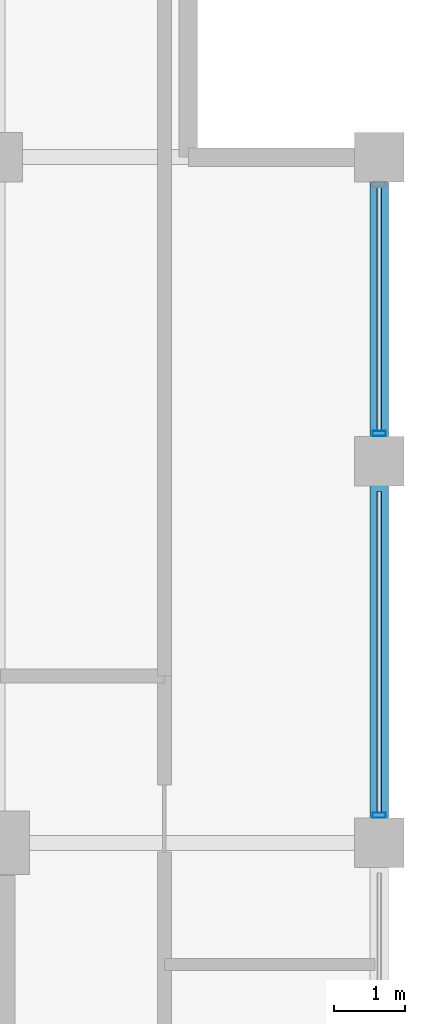
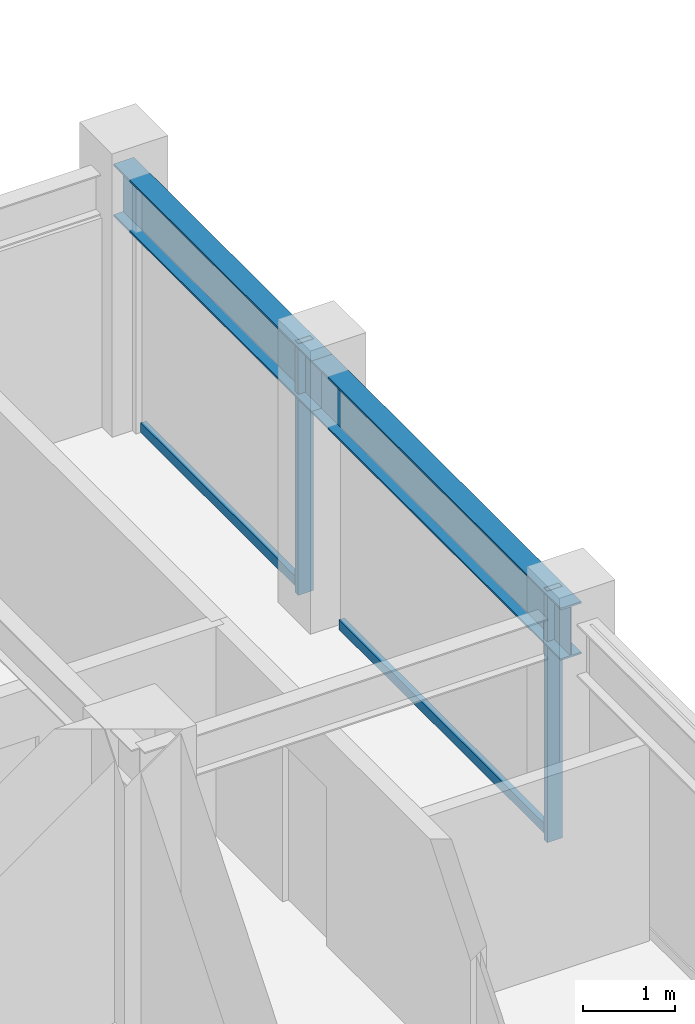
# One storey, part 21 of 31: 4 members, 2 beams, 1 element without a shape of its own.
"""IFC4 building model written with IfcOpenShell, lengths in metres."""

import ifcopenshell
import ifcopenshell.guid

model = None  # the IFC model being written
_history = None  # IfcOwnerHistory: only IFC2X3 demands one
_inside = {}  # id of a spatial element -> (the spatial element, [elements in it])
_under = {}  # id of a project, library or spatial element -> (it, [spatial elements below it])
_declared = {}  # id of a project -> (the project, [libraries it declares])
_typed = {}  # id of a type object -> (the type object, [elements of that type])
_made_of = {}  # id of a material, layer set ... -> (it, [elements and type objects made of it])


def new_model(schema):
    """Start an empty IFC model of exactly this schema.

    Asked for "IFC4X3", IfcOpenShell would pick the latest addendum, in which some entities
    have other attributes; the version numbers below select the first issue.
    IFC2X3 requires an IfcOwnerHistory on every rooted entity: one is made here for all.
    """
    global model, _history
    if schema == "IFC4X3":
        model = ifcopenshell.file(schema_version=(4, 3, 0, 0))
    else:
        model = ifcopenshell.file(schema=schema)
    _inside.clear()
    _under.clear()
    _declared.clear()
    _typed.clear()
    _made_of.clear()
    _history = None
    if model.schema == "IFC2X3":
        org = make("IfcOrganization", Name="unknown")
        user = make(
            "IfcPersonAndOrganization",
            ThePerson=make("IfcPerson", FamilyName="unknown"),
            TheOrganization=org,
        )
        app = make(
            "IfcApplication",
            ApplicationDeveloper=org,
            Version="unknown",
            ApplicationFullName="unknown",
            ApplicationIdentifier="unknown",
        )
        _history = make(
            "IfcOwnerHistory",
            OwningUser=user,
            OwningApplication=app,
            ChangeAction="ADDED",
            CreationDate=0,
        )
    return model


def make(cls, **values):
    """One entity of the class cls with the attributes given. An attribute that is None is left unset."""
    return model.create_entity(
        cls, **{name: value for name, value in values.items() if value is not None}
    )


def rooted(cls, **values):
    """An entity with a GlobalId (a new one), such as an element, a storey or a relation."""
    return make(cls, GlobalId=ifcopenshell.guid.new(), OwnerHistory=_history, **values)


def si_unit(unit_type, name, prefix=None):
    """IfcSIUnit, for example si_unit("LENGTHUNIT", "METRE", prefix="MILLI")."""
    return make("IfcSIUnit", UnitType=unit_type, Prefix=prefix, Name=name)


def assignment(units):
    """IfcUnitAssignment: the units of a project."""
    return None if units is None else make("IfcUnitAssignment", Units=units)


def point(xyz):
    """IfcCartesianPoint."""
    return None if xyz is None else make("IfcCartesianPoint", Coordinates=xyz)


def direction(xyz):
    """IfcDirection."""
    return None if xyz is None else make("IfcDirection", DirectionRatios=xyz)


def frame(location, z_axis=None, x_axis=None):
    """IfcAxis2Placement3D, a coordinate frame: its origin and axes. An axis left out is left unset."""
    return make(
        "IfcAxis2Placement3D",
        Location=point(location),
        Axis=direction(z_axis),
        RefDirection=direction(x_axis),
    )


def frame_2d(location, x_axis=None):
    """IfcAxis2Placement2D, a coordinate frame in the plane: its origin and x axis."""
    return make(
        "IfcAxis2Placement2D", Location=point(location), RefDirection=direction(x_axis)
    )


def origin():
    """The frame at (0, 0, 0) with its axes left unset."""
    return frame((0.0, 0.0, 0.0))


def origin_2d():
    """The frame at (0, 0) in the plane with its x axis left unset."""
    return frame_2d((0.0, 0.0))


def place(relative_to, where):
    """IfcLocalPlacement: puts the frame where relative to a parent placement (None: the world)."""
    return make(
        "IfcLocalPlacement", PlacementRelTo=relative_to, RelativePlacement=where
    )


def context(
    kind, dimensions, precision=None, world=None, true_north=None, identifier=None
):
    """IfcGeometricRepresentationContext, for example the 3D "Model" context."""
    return make(
        "IfcGeometricRepresentationContext",
        ContextIdentifier=identifier,
        ContextType=kind,
        CoordinateSpaceDimension=dimensions,
        Precision=precision,
        WorldCoordinateSystem=world,
        TrueNorth=true_north,
    )


def subcontext(parent, identifier, kind, view, scale=None):
    """IfcGeometricRepresentationSubContext, for example "Body" below "Model"."""
    return make(
        "IfcGeometricRepresentationSubContext",
        ContextIdentifier=identifier,
        ContextType=kind,
        ParentContext=parent,
        TargetScale=scale,
        TargetView=view,
    )


def project(units=None, contexts=None):
    """IfcProject with its units and contexts."""
    return rooted(
        "IfcProject",
        Name="project",
        RepresentationContexts=contexts,
        UnitsInContext=assignment(units),
    )


def spatial(cls, under=None, at=None, **own):
    """A site, building, storey or space (cls), placed at a placement, below another one or the project."""
    s = rooted(cls, ObjectPlacement=at, **own)
    if under is not None:
        _under.setdefault(under.id(), (under, []))[1].append(s)
    return s


def profile(cls, at=None, kind="AREA", **sizes):
    """A parametric profile (cls). Its sizes go by their IFC names, for example OverallWidth=200.0."""
    return make(cls, ProfileType=kind, Position=at, **sizes)


def hollow_rectangle(**sizes):
    """IfcRectangleHollowProfileDef."""
    return profile("IfcRectangleHollowProfileDef", **sizes)


def i_section(**sizes):
    """IfcIShapeProfileDef."""
    return profile("IfcIShapeProfileDef", **sizes)


def extrude(swept, where, along, depth):
    """IfcExtrudedAreaSolid: the profile swept, set in the frame where, extruded along a direction by depth."""
    return make(
        "IfcExtrudedAreaSolid",
        SweptArea=swept,
        Position=where,
        ExtrudedDirection=direction(along),
        Depth=depth,
    )


def shape(context_of_items, identifier, shape_type, items):
    """IfcShapeRepresentation: the items that make up one representation, for example the "Body"."""
    return make(
        "IfcShapeRepresentation",
        ContextOfItems=context_of_items,
        RepresentationIdentifier=identifier,
        RepresentationType=shape_type,
        Items=items,
    )


def material(Name=None, Category=None):
    """IfcMaterial."""
    return make("IfcMaterial", Name=Name, Category=Category)


def layer(
    of_material, thickness, ventilated=None, Name=None, Category=None, Priority=None
):
    """IfcMaterialLayer: one layer of a wall or slab, of a material (None: an air gap)."""
    return make(
        "IfcMaterialLayer",
        Material=of_material,
        LayerThickness=thickness,
        IsVentilated=ventilated,
        Name=Name,
        Category=Category,
        Priority=Priority,
    )


def layer_set(layers, Name=None):
    """IfcMaterialLayerSet."""
    return make("IfcMaterialLayerSet", MaterialLayers=layers, LayerSetName=Name)


def material_profile(
    of_material, cross_section, Name=None, Category=None, Priority=None
):
    """IfcMaterialProfile: a cross section and its material."""
    return make(
        "IfcMaterialProfile",
        Name=Name,
        Material=of_material,
        Profile=cross_section,
        Priority=Priority,
        Category=Category,
    )


def profile_set(profiles, Name=None, composite=None):
    """IfcMaterialProfileSet."""
    return make(
        "IfcMaterialProfileSet",
        Name=Name,
        MaterialProfiles=profiles,
        CompositeProfile=composite,
    )


def made_of(thing, what):
    """Note that an element or type object is made of a material, layer set ...; save() writes the relation."""
    if what is not None:
        _made_of.setdefault(what.id(), (what, []))[1].append(thing)
    return thing


def type_object(cls, material=None, **own):
    """A type object (cls), such as IfcWallType, which elements share."""
    return made_of(rooted(cls, **own), material)


def element(
    cls,
    number,
    at=None,
    inside=None,
    cuts=None,
    type_object=None,
    material=None,
    context=None,
    identifier="Body",
    shape_type=None,
    held_by="IfcProductDefinitionShape",
    body=None,
    shapes=None,
    **own,
):
    """One element of the class cls, such as IfcWall. Its Tag is "e" and its number.

    at: its placement. inside: the storey or other place that contains it. cuts: it is an
    opening in that element (IfcRelVoidsElement). A single representation is given by context,
    identifier, shape_type and body (its items); several are given by shapes. held_by: the class
    of the entity that holds the representations. save() writes the other relations.
    """
    e = rooted(cls, Tag="e%d" % number, ObjectPlacement=at, **own)
    if body is not None:
        shapes = [shape(context, identifier, shape_type, body)]
    if shapes is not None:
        e.Representation = make(held_by, Representations=shapes)
    if inside is not None:
        _inside.setdefault(inside.id(), (inside, []))[1].append(e)
    if cuts is not None:
        rooted(
            "IfcRelVoidsElement", RelatingBuildingElement=cuts, RelatedOpeningElement=e
        )
    if type_object is not None:
        _typed.setdefault(type_object.id(), (type_object, []))[1].append(e)
    return made_of(e, material)


def aggregate(whole, parts):
    """IfcRelAggregates: a whole, such as a stair, and the parts it consists of."""
    return rooted("IfcRelAggregates", RelatingObject=whole, RelatedObjects=parts)


def save(model, path):
    """Write the relations noted so far, then the file.

    IfcRelAggregates (storeys below a building ...), IfcRelContainedInSpatialStructure (elements
    in a storey), IfcRelDefinesByType, IfcRelAssociatesMaterial and IfcRelDeclares: one each for
    every whole, place, type object, material and project.
    """
    for whole, parts in _under.values():
        aggregate(whole, parts)
    for where, things in _inside.values():
        rooted(
            "IfcRelContainedInSpatialStructure",
            RelatedElements=things,
            RelatingStructure=where,
        )
    for kind, things in _typed.values():
        rooted("IfcRelDefinesByType", RelatedObjects=things, RelatingType=kind)
    for what, things in _made_of.values():
        rooted("IfcRelAssociatesMaterial", RelatedObjects=things, RelatingMaterial=what)
    for by, libraries in _declared.values():
        rooted("IfcRelDeclares", RelatingContext=by, RelatedDefinitions=libraries)
    model.write(path)


model = new_model("IFC4")

# Units and contexts
model_context = context("Model", 3, precision=1e-05, world=origin(), true_north=direction((0.0, 1.0)))
body_context = subcontext(model_context, "Body", "Model", "MODEL_VIEW")
ifc_project = project(units=[si_unit("LENGTHUNIT", "METRE"), si_unit("AREAUNIT", "SQUARE_METRE"), si_unit("VOLUMEUNIT", "CUBIC_METRE"), si_unit("PLANEANGLEUNIT", "RADIAN"), si_unit("MASSUNIT", "GRAM", prefix="KILO")], contexts=[model_context])

# Site, building, storey
site_placement = place(None, origin())
site = spatial("IfcSite", under=ifc_project, at=site_placement, CompositionType="ELEMENT")
building_placement = place(site_placement, origin())
building = spatial("IfcBuilding", under=site, at=building_placement, Name="Surkhivell Harbour Commons", CompositionType="ELEMENT")
storey_placement = place(building_placement, frame((0.0, 0.0, 333.75)))
storey = spatial("IfcBuildingStorey", under=building, at=storey_placement, Name="L87", CompositionType="ELEMENT", Elevation=333.75)

# Beams
ifc_material_1 = material(Name="Steel S355", Category="steel")
ifc_material_profile_1 = material_profile(ifc_material_1, i_section(OverallWidth=0.256103515625, OverallDepth=0.693115234375, WebThickness=0.014404296875, FlangeThickness=0.023681640625, at=origin_2d()), Name="UB686x254x170")
ifc_profile_set_1 = profile_set([ifc_material_profile_1], Name="Steel S355")
beam_type = type_object("IfcBeamType", Name="BM-SPN-686", PredefinedType="SPANDREL", material=ifc_profile_set_1)
beam_1_placement = place(storey_placement, frame((16.199951171875, 10.800048828125, 2.9833984375), z_axis=(0.0, 1.0, 0.0), x_axis=(-1.0, 0.0, 0.0)))
element("IfcBeam", 1, at=beam_1_placement, inside=storey, type_object=beam_type, Name="L87 Tube Spandrel (16.2,10.8)", PredefinedType="SPANDREL", context=body_context, shape_type="SweptSolid", body=[
    extrude(i_section(OverallWidth=0.256103515625, OverallDepth=0.693115234375, WebThickness=0.014404296875, FlangeThickness=0.023681640625, at=origin_2d()), origin(), (0.0, 0.0, 1.0), 5.39990234375),
])
beam_2_placement = place(storey_placement, frame((16.199951171875, 16.199951171875, 2.9833984375), z_axis=(0.0, 1.0, 0.0), x_axis=(-1.0, 0.0, 0.0)))
element("IfcBeam", 2, at=beam_2_placement, inside=storey, type_object=beam_type, Name="L87 Tube Spandrel (16.2,16.2)", PredefinedType="SPANDREL", context=body_context, shape_type="SweptSolid", body=[
    extrude(i_section(OverallWidth=0.256103515625, OverallDepth=0.693115234375, WebThickness=0.014404296875, FlangeThickness=0.023681640625, at=origin_2d()), origin(), (0.0, 0.0, 1.0), 4.300048828125),
])

# Curtain wall, members
ifc_material_2 = material(Name="Anodised pale-metal aluminium and insulated glazing", Category="aluminium")
ifc_layer = layer(ifc_material_2, 0.175048828125)
ifc_layer_set = layer_set([ifc_layer], Name="Anodised pale-metal aluminium and insulated glazing")
curtain_wall_type = type_object("IfcCurtainWallType", Name="CW-SYS-Z4", PredefinedType="NOTDEFINED", material=ifc_layer_set)
curtain_wall_placement = place(storey_placement, origin())
curtain_wall = element("IfcCurtainWall", 3, at=curtain_wall_placement, inside=storey, type_object=curtain_wall_type, Name="L87 Curtain Wall CW-L87-E02", PredefinedType="NOTDEFINED")
ifc_material_3 = material(Name="Anodised pale-metal aluminium alloy 6063-T6", Category="aluminium")
ifc_material_profile_2 = material_profile(ifc_material_3, hollow_rectangle(XDim=0.074951171875, YDim=0.18994140625, WallThickness=0.00390625, at=origin_2d()), Name="ALU-MULL-75x190")
ifc_profile_set_2 = profile_set([ifc_material_profile_2], Name="Anodised pale-metal aluminium alloy 6063-T6")
member_type_1 = type_object("IfcMemberType", Name="CWM-190", PredefinedType="MULLION", material=ifc_profile_set_2)
member_1_placement = place(storey_placement, frame((16.199951171875, 11.189453125, 0.0), z_axis=(0.0, 0.0, 1.0), x_axis=(0.0, 1.0, 0.0)))
member_1 = element("IfcMember", 4, at=member_1_placement, type_object=member_type_1, Name="CW-Z4 mullion 4", PredefinedType="MULLION", context=body_context, shape_type="SweptSolid", body=[
    extrude(hollow_rectangle(XDim=0.074951171875, YDim=0.18994140625, WallThickness=0.00390625, at=origin_2d()), origin(), (0.0, 0.0, 1.0), 3.330078125),
])
member_2_placement = place(storey_placement, frame((16.199951171875, 16.589599609375, 0.0), z_axis=(0.0, 0.0, 1.0), x_axis=(0.0, 1.0, 0.0)))
member_2 = element("IfcMember", 5, at=member_2_placement, type_object=member_type_1, Name="CW-Z4 mullion 5", PredefinedType="MULLION", context=body_context, shape_type="SweptSolid", body=[
    extrude(hollow_rectangle(XDim=0.074951171875, YDim=0.18994140625, WallThickness=0.00390625, at=origin_2d()), origin(), (0.0, 0.0, 1.0), 3.330078125),
])
ifc_material_4 = material(Name="Champagne anodised aluminium alloy 6063-T6", Category="aluminium")
ifc_material_profile_3 = material_profile(ifc_material_4, hollow_rectangle(XDim=0.070068359375, YDim=0.1298828125, WallThickness=0.00341796875, at=origin_2d()), Name="ALU-TRAN-70x130")
ifc_profile_set_3 = profile_set([ifc_material_profile_3], Name="Champagne anodised aluminium alloy 6063-T6")
member_type_2 = type_object("IfcMemberType", Name="CWT-130", PredefinedType="USERDEFINED", material=ifc_profile_set_3)
member_3_placement = place(storey_placement, frame((16.199951171875, 11.22705078125, 0.06494140625), z_axis=(0.0, 1.0, 0.0), x_axis=(-1.0, 0.0, 0.0)))
member_3 = element("IfcMember", 6, at=member_3_placement, type_object=member_type_2, Name="CW-Z4 transom 4.1", ObjectType="TRANSOM", PredefinedType="USERDEFINED", context=body_context, shape_type="SweptSolid", body=[
    extrude(hollow_rectangle(XDim=0.070068359375, YDim=0.1298828125, WallThickness=0.00341796875, at=origin_2d()), origin(), (0.0, 0.0, 1.0), 4.5458984375),
])
member_4_placement = place(storey_placement, frame((16.199951171875, 16.626953125, 0.06494140625), z_axis=(0.0, 1.0, 0.0), x_axis=(-1.0, 0.0, 0.0)))
member_4 = element("IfcMember", 7, at=member_4_placement, type_object=member_type_2, Name="CW-Z4 transom 5.1", ObjectType="TRANSOM", PredefinedType="USERDEFINED", context=body_context, shape_type="SweptSolid", body=[
    extrude(hollow_rectangle(XDim=0.070068359375, YDim=0.1298828125, WallThickness=0.00341796875, at=origin_2d()), origin(), (0.0, 0.0, 1.0), 3.446044921875),
])
aggregate(curtain_wall, [member_1, member_3, member_2, member_4])

save(model, "model.ifc")
